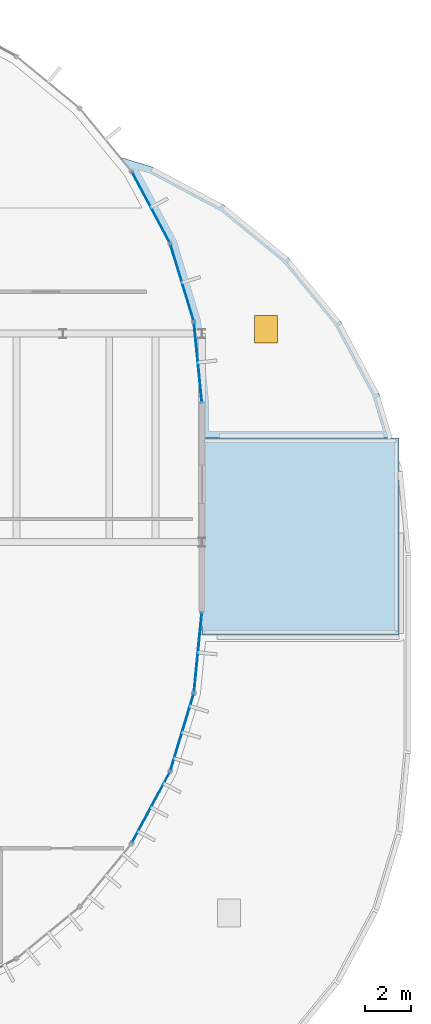
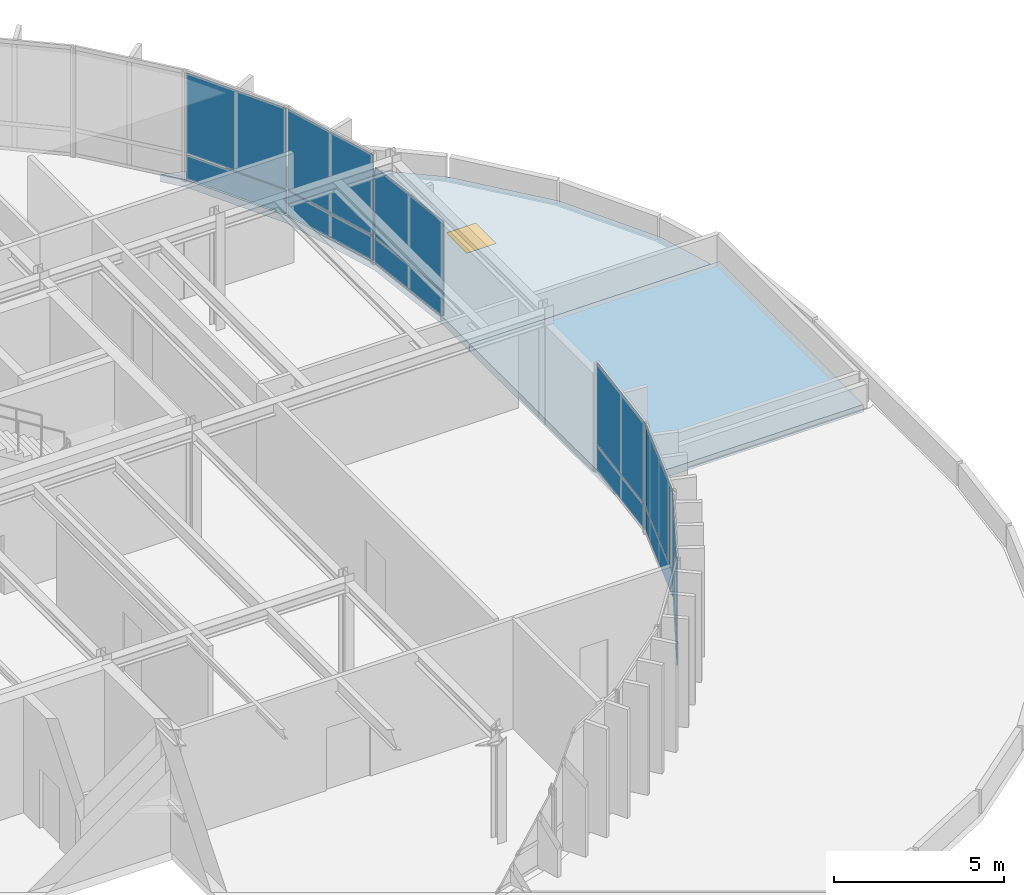
# One storey, part 19 of 29: 12 plates, 2 slabs, 1 door, 1 opening, 7 elements without a shape of their own.
"""IFC4 building model written with IfcOpenShell, lengths in metres."""

import ifcopenshell
import ifcopenshell.guid

model = None  # the IFC model being written
_history = None  # IfcOwnerHistory: only IFC2X3 demands one
_inside = {}  # id of a spatial element -> (the spatial element, [elements in it])
_under = {}  # id of a project, library or spatial element -> (it, [spatial elements below it])
_declared = {}  # id of a project -> (the project, [libraries it declares])
_typed = {}  # id of a type object -> (the type object, [elements of that type])
_made_of = {}  # id of a material, layer set ... -> (it, [elements and type objects made of it])


def new_model(schema):
    """Start an empty IFC model of exactly this schema.

    Asked for "IFC4X3", IfcOpenShell would pick the latest addendum, in which some entities
    have other attributes; the version numbers below select the first issue.
    IFC2X3 requires an IfcOwnerHistory on every rooted entity: one is made here for all.
    """
    global model, _history
    if schema == "IFC4X3":
        model = ifcopenshell.file(schema_version=(4, 3, 0, 0))
    else:
        model = ifcopenshell.file(schema=schema)
    _inside.clear()
    _under.clear()
    _declared.clear()
    _typed.clear()
    _made_of.clear()
    _history = None
    if model.schema == "IFC2X3":
        org = make("IfcOrganization", Name="unknown")
        user = make(
            "IfcPersonAndOrganization",
            ThePerson=make("IfcPerson", FamilyName="unknown"),
            TheOrganization=org,
        )
        app = make(
            "IfcApplication",
            ApplicationDeveloper=org,
            Version="unknown",
            ApplicationFullName="unknown",
            ApplicationIdentifier="unknown",
        )
        _history = make(
            "IfcOwnerHistory",
            OwningUser=user,
            OwningApplication=app,
            ChangeAction="ADDED",
            CreationDate=0,
        )
    return model


def make(cls, **values):
    """One entity of the class cls with the attributes given. An attribute that is None is left unset."""
    return model.create_entity(
        cls, **{name: value for name, value in values.items() if value is not None}
    )


def rooted(cls, **values):
    """An entity with a GlobalId (a new one), such as an element, a storey or a relation."""
    return make(cls, GlobalId=ifcopenshell.guid.new(), OwnerHistory=_history, **values)


def si_unit(unit_type, name, prefix=None):
    """IfcSIUnit, for example si_unit("LENGTHUNIT", "METRE", prefix="MILLI")."""
    return make("IfcSIUnit", UnitType=unit_type, Prefix=prefix, Name=name)


def assignment(units):
    """IfcUnitAssignment: the units of a project."""
    return None if units is None else make("IfcUnitAssignment", Units=units)


def point(xyz):
    """IfcCartesianPoint."""
    return None if xyz is None else make("IfcCartesianPoint", Coordinates=xyz)


def direction(xyz):
    """IfcDirection."""
    return None if xyz is None else make("IfcDirection", DirectionRatios=xyz)


def frame(location, z_axis=None, x_axis=None):
    """IfcAxis2Placement3D, a coordinate frame: its origin and axes. An axis left out is left unset."""
    return make(
        "IfcAxis2Placement3D",
        Location=point(location),
        Axis=direction(z_axis),
        RefDirection=direction(x_axis),
    )


def frame_2d(location, x_axis=None):
    """IfcAxis2Placement2D, a coordinate frame in the plane: its origin and x axis."""
    return make(
        "IfcAxis2Placement2D", Location=point(location), RefDirection=direction(x_axis)
    )


def origin():
    """The frame at (0, 0, 0) with its axes left unset."""
    return frame((0.0, 0.0, 0.0))


def origin_2d():
    """The frame at (0, 0) in the plane with its x axis left unset."""
    return frame_2d((0.0, 0.0))


def place(relative_to, where):
    """IfcLocalPlacement: puts the frame where relative to a parent placement (None: the world)."""
    return make(
        "IfcLocalPlacement", PlacementRelTo=relative_to, RelativePlacement=where
    )


def context(
    kind, dimensions, precision=None, world=None, true_north=None, identifier=None
):
    """IfcGeometricRepresentationContext, for example the 3D "Model" context."""
    return make(
        "IfcGeometricRepresentationContext",
        ContextIdentifier=identifier,
        ContextType=kind,
        CoordinateSpaceDimension=dimensions,
        Precision=precision,
        WorldCoordinateSystem=world,
        TrueNorth=true_north,
    )


def subcontext(parent, identifier, kind, view, scale=None):
    """IfcGeometricRepresentationSubContext, for example "Body" below "Model"."""
    return make(
        "IfcGeometricRepresentationSubContext",
        ContextIdentifier=identifier,
        ContextType=kind,
        ParentContext=parent,
        TargetScale=scale,
        TargetView=view,
    )


def project(units=None, contexts=None):
    """IfcProject with its units and contexts."""
    return rooted(
        "IfcProject",
        Name="project",
        RepresentationContexts=contexts,
        UnitsInContext=assignment(units),
    )


def spatial(cls, under=None, at=None, **own):
    """A site, building, storey or space (cls), placed at a placement, below another one or the project."""
    s = rooted(cls, ObjectPlacement=at, **own)
    if under is not None:
        _under.setdefault(under.id(), (under, []))[1].append(s)
    return s


def polyline(points):
    """IfcPolyline through the points."""
    return make("IfcPolyline", Points=[point(p) for p in points])


def profile(cls, at=None, kind="AREA", **sizes):
    """A parametric profile (cls). Its sizes go by their IFC names, for example OverallWidth=200.0."""
    return make(cls, ProfileType=kind, Position=at, **sizes)


def rectangle(**sizes):
    """IfcRectangleProfileDef."""
    return profile("IfcRectangleProfileDef", **sizes)


def outline(outer, holes=None, kind="AREA"):
    """IfcArbitraryClosedProfileDef: a profile drawn as a closed curve; with holes, ...WithVoids."""
    if holes is None:
        return make("IfcArbitraryClosedProfileDef", ProfileType=kind, OuterCurve=outer)
    return make(
        "IfcArbitraryProfileDefWithVoids",
        ProfileType=kind,
        OuterCurve=outer,
        InnerCurves=holes,
    )


def extrude(swept, where, along, depth):
    """IfcExtrudedAreaSolid: the profile swept, set in the frame where, extruded along a direction by depth."""
    return make(
        "IfcExtrudedAreaSolid",
        SweptArea=swept,
        Position=where,
        ExtrudedDirection=direction(along),
        Depth=depth,
    )


def shape(context_of_items, identifier, shape_type, items):
    """IfcShapeRepresentation: the items that make up one representation, for example the "Body"."""
    return make(
        "IfcShapeRepresentation",
        ContextOfItems=context_of_items,
        RepresentationIdentifier=identifier,
        RepresentationType=shape_type,
        Items=items,
    )


def material(Name=None, Category=None):
    """IfcMaterial."""
    return make("IfcMaterial", Name=Name, Category=Category)


def layer(
    of_material, thickness, ventilated=None, Name=None, Category=None, Priority=None
):
    """IfcMaterialLayer: one layer of a wall or slab, of a material (None: an air gap)."""
    return make(
        "IfcMaterialLayer",
        Material=of_material,
        LayerThickness=thickness,
        IsVentilated=ventilated,
        Name=Name,
        Category=Category,
        Priority=Priority,
    )


def layer_set(layers, Name=None):
    """IfcMaterialLayerSet."""
    return make("IfcMaterialLayerSet", MaterialLayers=layers, LayerSetName=Name)


def made_of(thing, what):
    """Note that an element or type object is made of a material, layer set ...; save() writes the relation."""
    if what is not None:
        _made_of.setdefault(what.id(), (what, []))[1].append(thing)
    return thing


def type_object(cls, material=None, **own):
    """A type object (cls), such as IfcWallType, which elements share."""
    return made_of(rooted(cls, **own), material)


def element(
    cls,
    number,
    at=None,
    inside=None,
    cuts=None,
    type_object=None,
    material=None,
    context=None,
    identifier="Body",
    shape_type=None,
    held_by="IfcProductDefinitionShape",
    body=None,
    shapes=None,
    **own,
):
    """One element of the class cls, such as IfcWall. Its Tag is "e" and its number.

    at: its placement. inside: the storey or other place that contains it. cuts: it is an
    opening in that element (IfcRelVoidsElement). A single representation is given by context,
    identifier, shape_type and body (its items); several are given by shapes. held_by: the class
    of the entity that holds the representations. save() writes the other relations.
    """
    e = rooted(cls, Tag="e%d" % number, ObjectPlacement=at, **own)
    if body is not None:
        shapes = [shape(context, identifier, shape_type, body)]
    if shapes is not None:
        e.Representation = make(held_by, Representations=shapes)
    if inside is not None:
        _inside.setdefault(inside.id(), (inside, []))[1].append(e)
    if cuts is not None:
        rooted(
            "IfcRelVoidsElement", RelatingBuildingElement=cuts, RelatedOpeningElement=e
        )
    if type_object is not None:
        _typed.setdefault(type_object.id(), (type_object, []))[1].append(e)
    return made_of(e, material)


def fill(opening, filler):
    """IfcRelFillsElement: the door or window that sits in an opening."""
    return rooted(
        "IfcRelFillsElement",
        RelatingOpeningElement=opening,
        RelatedBuildingElement=filler,
    )


def aggregate(whole, parts):
    """IfcRelAggregates: a whole, such as a stair, and the parts it consists of."""
    return rooted("IfcRelAggregates", RelatingObject=whole, RelatedObjects=parts)


def save(model, path):
    """Write the relations noted so far, then the file.

    IfcRelAggregates (storeys below a building ...), IfcRelContainedInSpatialStructure (elements
    in a storey), IfcRelDefinesByType, IfcRelAssociatesMaterial and IfcRelDeclares: one each for
    every whole, place, type object, material and project.
    """
    for whole, parts in _under.values():
        aggregate(whole, parts)
    for where, things in _inside.values():
        rooted(
            "IfcRelContainedInSpatialStructure",
            RelatedElements=things,
            RelatingStructure=where,
        )
    for kind, things in _typed.values():
        rooted("IfcRelDefinesByType", RelatedObjects=things, RelatingType=kind)
    for what, things in _made_of.values():
        rooted("IfcRelAssociatesMaterial", RelatedObjects=things, RelatingMaterial=what)
    for by, libraries in _declared.values():
        rooted("IfcRelDeclares", RelatingContext=by, RelatedDefinitions=libraries)
    model.write(path)


model = new_model("IFC4")

# Units and contexts
model_context = context("Model", 3, precision=1e-05, world=origin(), true_north=direction((0.0, 1.0)))
body_context = subcontext(model_context, "Body", "Model", "MODEL_VIEW")
ifc_project = project(units=[si_unit("LENGTHUNIT", "METRE"), si_unit("AREAUNIT", "SQUARE_METRE"), si_unit("VOLUMEUNIT", "CUBIC_METRE"), si_unit("PLANEANGLEUNIT", "RADIAN"), si_unit("MASSUNIT", "GRAM", prefix="KILO")], contexts=[model_context])

# Site, building, storey
site_placement = place(None, origin())
site = spatial("IfcSite", under=ifc_project, at=site_placement, CompositionType="ELEMENT")
building_placement = place(site_placement, origin())
building = spatial("IfcBuilding", under=site, at=building_placement, Name="Montealbar Specialist Clinic", CompositionType="ELEMENT")
storey_placement = place(building_placement, frame((0.0, 0.0, 22.199951171875)))
storey = spatial("IfcBuildingStorey", under=building, at=storey_placement, Name="L05", CompositionType="ELEMENT", Elevation=22.199951171875)

# Curtain wall, plates
ifc_material_1 = material(Name="Low-E double glazing", Category="glass")
ifc_layer_1 = layer(ifc_material_1, 0.199951171875, Name="Low-E double glazing", Category="glass")
ifc_layer_set_1 = layer_set([ifc_layer_1], Name="Low-E double glazing")
curtain_wall_type_1 = type_object("IfcCurtainWallType", Name="CW-TYPE-19", PredefinedType="NOTDEFINED", material=ifc_layer_set_1)
curtain_wall_1_placement = place(storey_placement, origin())
curtain_wall_1 = element("IfcCurtainWall", 1, at=curtain_wall_1_placement, inside=storey, type_object=curtain_wall_type_1, Name="Unitised Curtain Wall CW-L05-1080-430-1096-399-222", PredefinedType="NOTDEFINED")
ifc_layer_2 = layer(ifc_material_1, 0.0380859375, Name="Low-E double glazing", Category="glass")
ifc_layer_set_2 = layer_set([ifc_layer_2], Name="Low-E double glazing")
plate_type = type_object("IfcPlateType", Name="CW-PNL-IGU38", PredefinedType="CURTAIN_PANEL", material=ifc_layer_set_2)
plate_1_placement = place(storey_placement, frame((108.798095703125, 41.444091796875, 0.070068359375), z_axis=(0.0, 0.0, 1.0), x_axis=(0.471529268958, -0.881850411644, 0.0)))
plate_1 = element("IfcPlate", 2, at=plate_1_placement, type_object=plate_type, Name="Glazed Curtain Panel CW-L05-1080-430-1096-399-222-1-1", PredefinedType="CURTAIN_PANEL", context=body_context, shape_type="SweptSolid", body=[
    extrude(rectangle(XDim=3.445068359375, YDim=0.0380859375, at=origin_2d()), origin(), (0.0, 0.0, 1.0), 0.85009765625),
])
plate_2_placement = place(storey_placement, frame((108.798095703125, 41.444091796875, 0.97998046875), z_axis=(0.0, 0.0, 1.0), x_axis=(0.471529268958, -0.881850411644, 0.0)))
plate_2 = element("IfcPlate", 3, at=plate_2_placement, type_object=plate_type, Name="Glazed Curtain Panel CW-L05-1080-430-1096-399-222-1-2", PredefinedType="CURTAIN_PANEL", context=body_context, shape_type="SweptSolid", body=[
    extrude(rectangle(XDim=3.445068359375, YDim=0.0380859375, at=origin_2d()), origin(), (0.0, 0.0, 1.0), 2.889892578125),
])
aggregate(curtain_wall_1, [plate_1, plate_2])

curtain_wall_2_placement = place(storey_placement, origin())
curtain_wall_2 = element("IfcCurtainWall", 4, at=curtain_wall_2_placement, inside=storey, type_object=curtain_wall_type_1, Name="Unitised Curtain Wall CW-L05-1096-399-1107-365-222", PredefinedType="NOTDEFINED")
plate_3_placement = place(storey_placement, frame((110.14208984375, 38.199951171875, 0.070068359375), z_axis=(0.0, 0.0, 1.0), x_axis=(0.290259134399, -0.956948083701, 0.0)))
plate_3 = element("IfcPlate", 5, at=plate_3_placement, type_object=plate_type, Name="Glazed Curtain Panel CW-L05-1096-399-1107-365-222-1-1", PredefinedType="CURTAIN_PANEL", context=body_context, shape_type="SweptSolid", body=[
    extrude(rectangle(XDim=3.444091796875, YDim=0.0380859375, at=origin_2d()), origin(), (0.0, 0.0, 1.0), 0.85009765625),
])
plate_4_placement = place(storey_placement, frame((110.14208984375, 38.199951171875, 0.97998046875), z_axis=(0.0, 0.0, 1.0), x_axis=(0.290259134399, -0.956948083701, 0.0)))
plate_4 = element("IfcPlate", 6, at=plate_4_placement, type_object=plate_type, Name="Glazed Curtain Panel CW-L05-1096-399-1107-365-222-1-2", PredefinedType="CURTAIN_PANEL", context=body_context, shape_type="SweptSolid", body=[
    extrude(rectangle(XDim=3.444091796875, YDim=0.0380859375, at=origin_2d()), origin(), (0.0, 0.0, 1.0), 2.889892578125),
])
aggregate(curtain_wall_2, [plate_3, plate_4])

ifc_layer_3 = layer(ifc_material_1, 0.199951171875, Name="Low-E double glazing", Category="glass")
ifc_layer_set_3 = layer_set([ifc_layer_3], Name="Low-E double glazing")
curtain_wall_type_2 = type_object("IfcCurtainWallType", Name="CW-TYPE-18", PredefinedType="NOTDEFINED", material=ifc_layer_set_3)
curtain_wall_3_placement = place(storey_placement, origin())
curtain_wall_3 = element("IfcCurtainWall", 7, at=curtain_wall_3_placement, inside=storey, type_object=curtain_wall_type_2, Name="Unitised Curtain Wall CW-L05-1107-365-1110-330-222", PredefinedType="NOTDEFINED")
plate_5_placement = place(storey_placement, frame((110.826904296875, 34.756103515625, 0.070068359375), z_axis=(0.0, 0.0, 1.0), x_axis=(0.098044697094, -0.995182012183, 0.0)))
plate_5 = element("IfcPlate", 8, at=plate_5_placement, type_object=plate_type, Name="Glazed Curtain Panel CW-L05-1107-365-1110-330-222-1-1", PredefinedType="CURTAIN_PANEL", context=body_context, shape_type="SweptSolid", body=[
    extrude(rectangle(XDim=3.445068359375, YDim=0.0380859375, at=origin_2d()), origin(), (0.0, 0.0, 1.0), 0.85009765625),
])
plate_6_placement = place(storey_placement, frame((110.826904296875, 34.756103515625, 0.97998046875), z_axis=(0.0, 0.0, 1.0), x_axis=(0.098044697094, -0.995182012183, 0.0)))
plate_6 = element("IfcPlate", 9, at=plate_6_placement, type_object=plate_type, Name="Glazed Curtain Panel CW-L05-1107-365-1110-330-222-1-2", PredefinedType="CURTAIN_PANEL", context=body_context, shape_type="SweptSolid", body=[
    extrude(rectangle(XDim=3.445068359375, YDim=0.0380859375, at=origin_2d()), origin(), (0.0, 0.0, 1.0), 2.489990234375),
])
aggregate(curtain_wall_3, [plate_5, plate_6])

curtain_wall_4_placement = place(storey_placement, origin())
curtain_wall_4 = element("IfcCurtainWall", 10, at=curtain_wall_4_placement, inside=storey, type_object=curtain_wall_type_1, Name="Unitised Curtain Wall CW-L05-1110-240-1107-205-222", PredefinedType="NOTDEFINED")
plate_7_placement = place(storey_placement, frame((110.826904296875, 22.243896484375, 0.070068359375), z_axis=(0.0, 0.0, 1.0), x_axis=(-0.098044697094, -0.995182012183, 0.0)))
plate_7 = element("IfcPlate", 11, at=plate_7_placement, type_object=plate_type, Name="Glazed Curtain Panel CW-L05-1110-240-1107-205-222-1-1", PredefinedType="CURTAIN_PANEL", context=body_context, shape_type="SweptSolid", body=[
    extrude(rectangle(XDim=3.445068359375, YDim=0.0380859375, at=origin_2d()), origin(), (0.0, 0.0, 1.0), 0.85009765625),
])
plate_8_placement = place(storey_placement, frame((110.826904296875, 22.243896484375, 0.97998046875), z_axis=(0.0, 0.0, 1.0), x_axis=(-0.098044697094, -0.995182012183, 0.0)))
plate_8 = element("IfcPlate", 12, at=plate_8_placement, type_object=plate_type, Name="Glazed Curtain Panel CW-L05-1110-240-1107-205-222-1-2", PredefinedType="CURTAIN_PANEL", context=body_context, shape_type="SweptSolid", body=[
    extrude(rectangle(XDim=3.445068359375, YDim=0.0380859375, at=origin_2d()), origin(), (0.0, 0.0, 1.0), 2.889892578125),
])
aggregate(curtain_wall_4, [plate_7, plate_8])

curtain_wall_5_placement = place(storey_placement, origin())
curtain_wall_5 = element("IfcCurtainWall", 13, at=curtain_wall_5_placement, inside=storey, type_object=curtain_wall_type_1, Name="Unitised Curtain Wall CW-L05-1107-205-1096-171-222", PredefinedType="NOTDEFINED")
plate_9_placement = place(storey_placement, frame((110.14208984375, 18.800048828125, 0.070068359375), z_axis=(0.0, 0.0, 1.0), x_axis=(-0.290259134399, -0.956948083701, 0.0)))
plate_9 = element("IfcPlate", 14, at=plate_9_placement, type_object=plate_type, Name="Glazed Curtain Panel CW-L05-1107-205-1096-171-222-1-1", PredefinedType="CURTAIN_PANEL", context=body_context, shape_type="SweptSolid", body=[
    extrude(rectangle(XDim=3.444091796875, YDim=0.0380859375, at=origin_2d()), origin(), (0.0, 0.0, 1.0), 0.85009765625),
])
plate_10_placement = place(storey_placement, frame((110.14208984375, 18.800048828125, 0.97998046875), z_axis=(0.0, 0.0, 1.0), x_axis=(-0.290259134399, -0.956948083701, 0.0)))
plate_10 = element("IfcPlate", 15, at=plate_10_placement, type_object=plate_type, Name="Glazed Curtain Panel CW-L05-1107-205-1096-171-222-1-2", PredefinedType="CURTAIN_PANEL", context=body_context, shape_type="SweptSolid", body=[
    extrude(rectangle(XDim=3.444091796875, YDim=0.0380859375, at=origin_2d()), origin(), (0.0, 0.0, 1.0), 2.889892578125),
])
aggregate(curtain_wall_5, [plate_9, plate_10])

curtain_wall_6_placement = place(storey_placement, origin())
curtain_wall_6 = element("IfcCurtainWall", 16, at=curtain_wall_6_placement, inside=storey, type_object=curtain_wall_type_1, Name="Unitised Curtain Wall CW-L05-1096-171-1080-140-222", PredefinedType="NOTDEFINED")
plate_11_placement = place(storey_placement, frame((108.798095703125, 15.555908203125, 0.070068359375), z_axis=(0.0, 0.0, 1.0), x_axis=(-0.471529268958, -0.881850411644, 0.0)))
plate_11 = element("IfcPlate", 17, at=plate_11_placement, type_object=plate_type, Name="Glazed Curtain Panel CW-L05-1096-171-1080-140-222-1-1", PredefinedType="CURTAIN_PANEL", context=body_context, shape_type="SweptSolid", body=[
    extrude(rectangle(XDim=3.445068359375, YDim=0.0380859375, at=origin_2d()), origin(), (0.0, 0.0, 1.0), 0.85009765625),
])
plate_12_placement = place(storey_placement, frame((108.798095703125, 15.555908203125, 0.97998046875), z_axis=(0.0, 0.0, 1.0), x_axis=(-0.471529268958, -0.881850411644, 0.0)))
plate_12 = element("IfcPlate", 18, at=plate_12_placement, type_object=plate_type, Name="Glazed Curtain Panel CW-L05-1096-171-1080-140-222-1-2", PredefinedType="CURTAIN_PANEL", context=body_context, shape_type="SweptSolid", body=[
    extrude(rectangle(XDim=3.445068359375, YDim=0.0380859375, at=origin_2d()), origin(), (0.0, 0.0, 1.0), 2.889892578125),
])
aggregate(curtain_wall_6, [plate_11, plate_12])

# Roof, slab, opening, door
ifc_material_2 = material(Name="Weatherproof roofing membrane", Category="concrete")
roof_type = type_object("IfcRoofType", Name="ROOF-CONT-FLAT", PredefinedType="FLAT_ROOF", material=ifc_material_2)
roof_placement = place(storey_placement, origin())
roof = element("IfcRoof", 19, at=roof_placement, inside=storey, type_object=roof_type, Name="Flat Roof Assembly ROOF-L05-02", PredefinedType="FLAT_ROOF")
ifc_material_3 = material(Name="Concrete C35/45", Category="concrete")
ifc_layer_4 = layer(ifc_material_3, 0.27001953125, Name="Concrete C35/45", Category="concrete")
ifc_layer_set_4 = layer_set([ifc_layer_4], Name="Concrete C35/45")
slab_type_1 = type_object("IfcSlabType", Name="SL-ROOF-220", PredefinedType="ROOF", material=ifc_layer_set_4)
slab_1_placement = place(storey_placement, frame((0.0, 0.0, -0.27001953125)))
slab_1 = element("IfcSlab", 20, at=slab_1_placement, type_object=slab_type_1, Name="Roof Slab ROOF-L05-02", PredefinedType="ROOF", context=body_context, shape_type="SweptSolid", body=[
    extrude(outline(polyline([(114.72802734375, 39.278076171875), (116.966064453125, 36.550048828125), (118.6298828125, 33.43798828125), (119.218017578125, 31.5), (111.0, 31.5), (111.0, 33.0), (110.654052734375, 36.511962890625), (109.6298828125, 39.887939453125), (107.966064453125, 43.0), (107.464111328125, 43.612060546875), (108.887939453125, 43.179931640625), (112.0, 41.51611328125), (114.72802734375, 39.278076171875)]), holes=[polyline([(114.2490234375, 36.77587890625), (113.26904296875, 36.77587890625), (113.26904296875, 35.595947265625), (114.2490234375, 35.595947265625), (114.2490234375, 36.77587890625)])]), origin(), (0.0, 0.0, 1.0), 0.27001953125),
])
opening_placement = place(slab_1_placement, frame((113.759033203125, 36.18603515625, -0.010009765625)))
opening = element("IfcOpeningElement", 21, at=opening_placement, cuts=slab_1, Name="Opening HT-01", PredefinedType="OPENING", context=body_context, shape_type="SweptSolid", body=[
    extrude(rectangle(XDim=1.0, YDim=1.199951171875, at=origin_2d()), origin(), (0.0, 0.0, 1.0), 0.2900390625),
])
ifc_material_4 = material(Name="Powder-coated aluminium", Category="aluminium")
door_type = type_object("IfcDoorType", Name="DR-HATCH-RF01", OperationType="SINGLE_SWING_LEFT", PredefinedType="TRAPDOOR", material=ifc_material_4)
door_placement = place(slab_1_placement, frame((113.759033203125, 36.18603515625, 0.219970703125)))
door = element("IfcDoor", 22, at=door_placement, inside=storey, type_object=door_type, Name="Roof Maintenance Access Hatch HT-15", OperationType="SINGLE_SWING_LEFT", OverallHeight=1.199951171875, OverallWidth=1.0, PredefinedType="TRAPDOOR", context=body_context, shape_type="SweptSolid", body=[
    extrude(rectangle(XDim=1.0, YDim=1.199951171875, at=origin_2d()), origin(), (0.0, 0.0, 1.0), 0.050048828125),
])
fill(opening, door)
aggregate(roof, [slab_1])

# Slab
ifc_layer_5 = layer(ifc_material_3, 0.27001953125, Name="Concrete C35/45", Category="concrete")
ifc_layer_set_5 = layer_set([ifc_layer_5], Name="Concrete C35/45")
slab_type_2 = type_object("IfcSlabType", Name="SL-TERR-180", PredefinedType="FLOOR", material=ifc_layer_set_5)
slab_2_placement = place(storey_placement, frame((0.0, 0.0, -0.27001953125)))
element("IfcSlab", 23, at=slab_2_placement, inside=storey, type_object=slab_type_2, Name="Exterior Terrace Deck TERR-L05-EAST", PredefinedType="FLOOR", context=body_context, shape_type="SweptSolid", body=[
    extrude(outline(polyline([(111.0, 23.0), (119.5, 23.0), (119.5, 31.5), (111.0, 31.5), (111.0, 23.0)])), origin(), (0.0, 0.0, 1.0), 0.27001953125),
])

save(model, "model.ifc")
